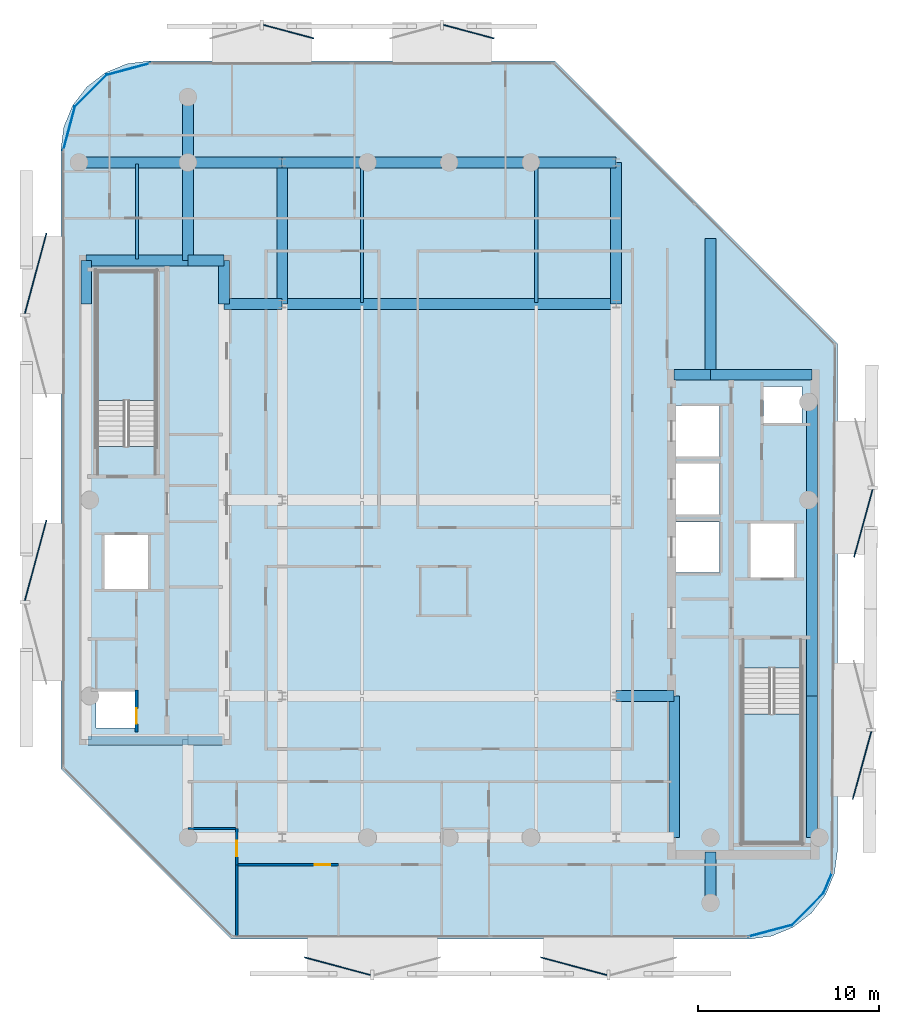
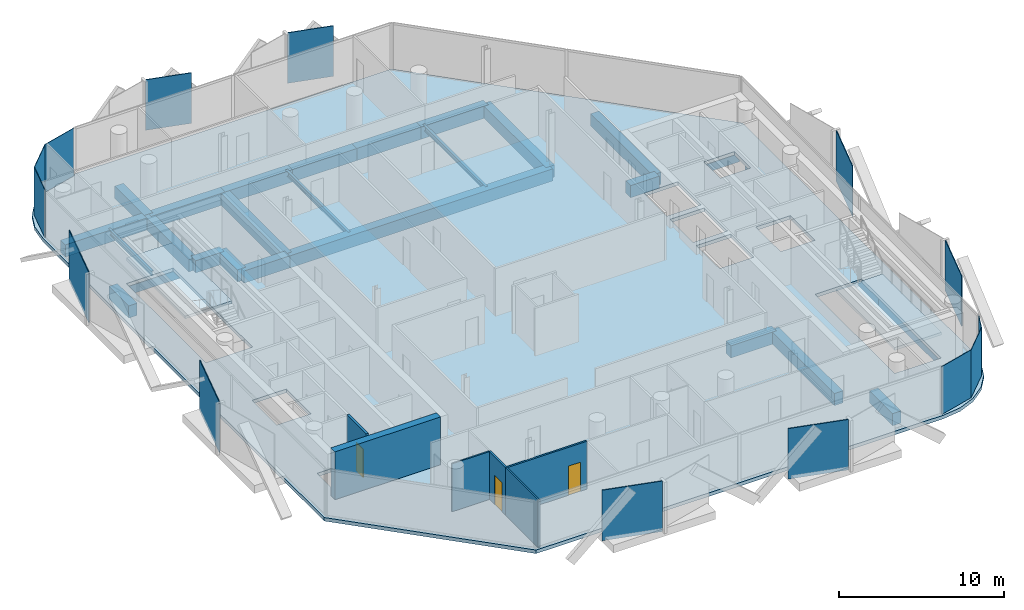
# One storey, part 3 of 16: 28 beams, 14 plates, 6 walls, 3 doors, 3 slabs, 3 openings, 2 elements without a shape of their own.
"""IFC4 building model written with IfcOpenShell, lengths in metres."""

import ifcopenshell
import ifcopenshell.guid

model = None  # the IFC model being written
_history = None  # IfcOwnerHistory: only IFC2X3 demands one
_inside = {}  # id of a spatial element -> (the spatial element, [elements in it])
_under = {}  # id of a project, library or spatial element -> (it, [spatial elements below it])
_declared = {}  # id of a project -> (the project, [libraries it declares])
_typed = {}  # id of a type object -> (the type object, [elements of that type])
_made_of = {}  # id of a material, layer set ... -> (it, [elements and type objects made of it])


def new_model(schema):
    """Start an empty IFC model of exactly this schema.

    Asked for "IFC4X3", IfcOpenShell would pick the latest addendum, in which some entities
    have other attributes; the version numbers below select the first issue.
    IFC2X3 requires an IfcOwnerHistory on every rooted entity: one is made here for all.
    """
    global model, _history
    if schema == "IFC4X3":
        model = ifcopenshell.file(schema_version=(4, 3, 0, 0))
    else:
        model = ifcopenshell.file(schema=schema)
    _inside.clear()
    _under.clear()
    _declared.clear()
    _typed.clear()
    _made_of.clear()
    _history = None
    if model.schema == "IFC2X3":
        org = make("IfcOrganization", Name="unknown")
        user = make(
            "IfcPersonAndOrganization",
            ThePerson=make("IfcPerson", FamilyName="unknown"),
            TheOrganization=org,
        )
        app = make(
            "IfcApplication",
            ApplicationDeveloper=org,
            Version="unknown",
            ApplicationFullName="unknown",
            ApplicationIdentifier="unknown",
        )
        _history = make(
            "IfcOwnerHistory",
            OwningUser=user,
            OwningApplication=app,
            ChangeAction="ADDED",
            CreationDate=0,
        )
    return model


def make(cls, **values):
    """One entity of the class cls with the attributes given. An attribute that is None is left unset."""
    return model.create_entity(
        cls, **{name: value for name, value in values.items() if value is not None}
    )


def rooted(cls, **values):
    """An entity with a GlobalId (a new one), such as an element, a storey or a relation."""
    return make(cls, GlobalId=ifcopenshell.guid.new(), OwnerHistory=_history, **values)


def si_unit(unit_type, name, prefix=None):
    """IfcSIUnit, for example si_unit("LENGTHUNIT", "METRE", prefix="MILLI")."""
    return make("IfcSIUnit", UnitType=unit_type, Prefix=prefix, Name=name)


def assignment(units):
    """IfcUnitAssignment: the units of a project."""
    return None if units is None else make("IfcUnitAssignment", Units=units)


def point(xyz):
    """IfcCartesianPoint."""
    return None if xyz is None else make("IfcCartesianPoint", Coordinates=xyz)


def direction(xyz):
    """IfcDirection."""
    return None if xyz is None else make("IfcDirection", DirectionRatios=xyz)


def frame(location, z_axis=None, x_axis=None):
    """IfcAxis2Placement3D, a coordinate frame: its origin and axes. An axis left out is left unset."""
    return make(
        "IfcAxis2Placement3D",
        Location=point(location),
        Axis=direction(z_axis),
        RefDirection=direction(x_axis),
    )


def frame_2d(location, x_axis=None):
    """IfcAxis2Placement2D, a coordinate frame in the plane: its origin and x axis."""
    return make(
        "IfcAxis2Placement2D", Location=point(location), RefDirection=direction(x_axis)
    )


def origin():
    """The frame at (0, 0, 0) with its axes left unset."""
    return frame((0.0, 0.0, 0.0))


def origin_2d():
    """The frame at (0, 0) in the plane with its x axis left unset."""
    return frame_2d((0.0, 0.0))


def place(relative_to, where):
    """IfcLocalPlacement: puts the frame where relative to a parent placement (None: the world)."""
    return make(
        "IfcLocalPlacement", PlacementRelTo=relative_to, RelativePlacement=where
    )


def context(
    kind, dimensions, precision=None, world=None, true_north=None, identifier=None
):
    """IfcGeometricRepresentationContext, for example the 3D "Model" context."""
    return make(
        "IfcGeometricRepresentationContext",
        ContextIdentifier=identifier,
        ContextType=kind,
        CoordinateSpaceDimension=dimensions,
        Precision=precision,
        WorldCoordinateSystem=world,
        TrueNorth=true_north,
    )


def subcontext(parent, identifier, kind, view, scale=None):
    """IfcGeometricRepresentationSubContext, for example "Body" below "Model"."""
    return make(
        "IfcGeometricRepresentationSubContext",
        ContextIdentifier=identifier,
        ContextType=kind,
        ParentContext=parent,
        TargetScale=scale,
        TargetView=view,
    )


def project(units=None, contexts=None):
    """IfcProject with its units and contexts."""
    return rooted(
        "IfcProject",
        Name="project",
        RepresentationContexts=contexts,
        UnitsInContext=assignment(units),
    )


def spatial(cls, under=None, at=None, **own):
    """A site, building, storey or space (cls), placed at a placement, below another one or the project."""
    s = rooted(cls, ObjectPlacement=at, **own)
    if under is not None:
        _under.setdefault(under.id(), (under, []))[1].append(s)
    return s


def polyline(points):
    """IfcPolyline through the points."""
    return make("IfcPolyline", Points=[point(p) for p in points])


def profile(cls, at=None, kind="AREA", **sizes):
    """A parametric profile (cls). Its sizes go by their IFC names, for example OverallWidth=200.0."""
    return make(cls, ProfileType=kind, Position=at, **sizes)


def rectangle(**sizes):
    """IfcRectangleProfileDef."""
    return profile("IfcRectangleProfileDef", **sizes)


def i_section(**sizes):
    """IfcIShapeProfileDef."""
    return profile("IfcIShapeProfileDef", **sizes)


def outline(outer, holes=None, kind="AREA"):
    """IfcArbitraryClosedProfileDef: a profile drawn as a closed curve; with holes, ...WithVoids."""
    if holes is None:
        return make("IfcArbitraryClosedProfileDef", ProfileType=kind, OuterCurve=outer)
    return make(
        "IfcArbitraryProfileDefWithVoids",
        ProfileType=kind,
        OuterCurve=outer,
        InnerCurves=holes,
    )


def extrude(swept, where, along, depth):
    """IfcExtrudedAreaSolid: the profile swept, set in the frame where, extruded along a direction by depth."""
    return make(
        "IfcExtrudedAreaSolid",
        SweptArea=swept,
        Position=where,
        ExtrudedDirection=direction(along),
        Depth=depth,
    )


def shape(context_of_items, identifier, shape_type, items):
    """IfcShapeRepresentation: the items that make up one representation, for example the "Body"."""
    return make(
        "IfcShapeRepresentation",
        ContextOfItems=context_of_items,
        RepresentationIdentifier=identifier,
        RepresentationType=shape_type,
        Items=items,
    )


def material(Name=None, Category=None):
    """IfcMaterial."""
    return make("IfcMaterial", Name=Name, Category=Category)


def layer(
    of_material, thickness, ventilated=None, Name=None, Category=None, Priority=None
):
    """IfcMaterialLayer: one layer of a wall or slab, of a material (None: an air gap)."""
    return make(
        "IfcMaterialLayer",
        Material=of_material,
        LayerThickness=thickness,
        IsVentilated=ventilated,
        Name=Name,
        Category=Category,
        Priority=Priority,
    )


def layer_set(layers, Name=None):
    """IfcMaterialLayerSet."""
    return make("IfcMaterialLayerSet", MaterialLayers=layers, LayerSetName=Name)


def material_profile(
    of_material, cross_section, Name=None, Category=None, Priority=None
):
    """IfcMaterialProfile: a cross section and its material."""
    return make(
        "IfcMaterialProfile",
        Name=Name,
        Material=of_material,
        Profile=cross_section,
        Priority=Priority,
        Category=Category,
    )


def profile_set(profiles, Name=None, composite=None):
    """IfcMaterialProfileSet."""
    return make(
        "IfcMaterialProfileSet",
        Name=Name,
        MaterialProfiles=profiles,
        CompositeProfile=composite,
    )


def made_of(thing, what):
    """Note that an element or type object is made of a material, layer set ...; save() writes the relation."""
    if what is not None:
        _made_of.setdefault(what.id(), (what, []))[1].append(thing)
    return thing


def type_object(cls, material=None, **own):
    """A type object (cls), such as IfcWallType, which elements share."""
    return made_of(rooted(cls, **own), material)


def element(
    cls,
    number,
    at=None,
    inside=None,
    cuts=None,
    type_object=None,
    material=None,
    context=None,
    identifier="Body",
    shape_type=None,
    held_by="IfcProductDefinitionShape",
    body=None,
    shapes=None,
    **own,
):
    """One element of the class cls, such as IfcWall. Its Tag is "e" and its number.

    at: its placement. inside: the storey or other place that contains it. cuts: it is an
    opening in that element (IfcRelVoidsElement). A single representation is given by context,
    identifier, shape_type and body (its items); several are given by shapes. held_by: the class
    of the entity that holds the representations. save() writes the other relations.
    """
    e = rooted(cls, Tag="e%d" % number, ObjectPlacement=at, **own)
    if body is not None:
        shapes = [shape(context, identifier, shape_type, body)]
    if shapes is not None:
        e.Representation = make(held_by, Representations=shapes)
    if inside is not None:
        _inside.setdefault(inside.id(), (inside, []))[1].append(e)
    if cuts is not None:
        rooted(
            "IfcRelVoidsElement", RelatingBuildingElement=cuts, RelatedOpeningElement=e
        )
    if type_object is not None:
        _typed.setdefault(type_object.id(), (type_object, []))[1].append(e)
    return made_of(e, material)


def fill(opening, filler):
    """IfcRelFillsElement: the door or window that sits in an opening."""
    return rooted(
        "IfcRelFillsElement",
        RelatingOpeningElement=opening,
        RelatedBuildingElement=filler,
    )


def aggregate(whole, parts):
    """IfcRelAggregates: a whole, such as a stair, and the parts it consists of."""
    return rooted("IfcRelAggregates", RelatingObject=whole, RelatedObjects=parts)


def save(model, path):
    """Write the relations noted so far, then the file.

    IfcRelAggregates (storeys below a building ...), IfcRelContainedInSpatialStructure (elements
    in a storey), IfcRelDefinesByType, IfcRelAssociatesMaterial and IfcRelDeclares: one each for
    every whole, place, type object, material and project.
    """
    for whole, parts in _under.values():
        aggregate(whole, parts)
    for where, things in _inside.values():
        rooted(
            "IfcRelContainedInSpatialStructure",
            RelatedElements=things,
            RelatingStructure=where,
        )
    for kind, things in _typed.values():
        rooted("IfcRelDefinesByType", RelatedObjects=things, RelatingType=kind)
    for what, things in _made_of.values():
        rooted("IfcRelAssociatesMaterial", RelatedObjects=things, RelatingMaterial=what)
    for by, libraries in _declared.values():
        rooted("IfcRelDeclares", RelatingContext=by, RelatedDefinitions=libraries)
    model.write(path)


model = new_model("IFC4")

# Units and contexts
model_context = context("Model", 3, precision=1e-05, world=origin(), true_north=direction((0.0, 1.0)))
body_context = subcontext(model_context, "Body", "Model", "MODEL_VIEW")
ifc_project = project(units=[si_unit("LENGTHUNIT", "METRE"), si_unit("AREAUNIT", "SQUARE_METRE"), si_unit("VOLUMEUNIT", "CUBIC_METRE"), si_unit("PLANEANGLEUNIT", "RADIAN"), si_unit("MASSUNIT", "GRAM", prefix="KILO")], contexts=[model_context])

# Site, building, storey
site_placement = place(None, origin())
site = spatial("IfcSite", under=ifc_project, at=site_placement, CompositionType="ELEMENT")
building_placement = place(site_placement, origin())
building = spatial("IfcBuilding", under=site, at=building_placement, Name="Khairoan Windgate Tower", CompositionType="ELEMENT")
storey_placement = place(building_placement, frame((0.0, 0.0, 311.800048828125)))
storey = spatial("IfcBuildingStorey", under=building, at=storey_placement, Name="L75", CompositionType="ELEMENT", Elevation=311.800048828125)

# Beams
ifc_material_1 = material(Name="Concrete C50/60", Category="concrete")
ifc_material_profile_1 = material_profile(ifc_material_1, rectangle(XDim=0.60009765625, YDim=0.89990234375, at=origin_2d()))
ifc_profile_set_1 = profile_set([ifc_material_profile_1], Name="Concrete C50/60")
beam_type_1 = type_object("IfcBeamType", Name="Beam B-RC1 RC600x900", PredefinedType="BEAM", material=ifc_profile_set_1)
beam_1_placement = place(storey_placement, frame((9.199951171875, -10.800048828125, -0.7099609375), z_axis=(1.0, 0.0, 0.0), x_axis=(0.0, 1.0, 0.0)))
element("IfcBeam", 1, at=beam_1_placement, inside=storey, type_object=beam_type_1, Name="L75 E-W Primary Girder 11", PredefinedType="BEAM", context=body_context, shape_type="SweptSolid", body=[
    extrude(rectangle(XDim=0.60009765625, YDim=0.89990234375, at=origin_2d()), origin(), (0.0, 0.0, 1.0), 3.199951171875),
])
beam_2_placement = place(storey_placement, frame((12.39990234375, 6.89990234375, -0.7099609375), z_axis=(1.0, 0.0, 0.0), x_axis=(0.0, 1.0, 0.0)))
element("IfcBeam", 2, at=beam_2_placement, inside=storey, type_object=beam_type_1, Name="L75 E-W Primary Girder 14", PredefinedType="BEAM", context=body_context, shape_type="SweptSolid", body=[
    extrude(rectangle(XDim=0.60009765625, YDim=0.89990234375, at=origin_2d()), origin(), (0.0, 0.0, 1.0), 2.0),
])
beam_3_placement = place(storey_placement, frame((14.39990234375, 6.89990234375, -0.7099609375), z_axis=(1.0, 0.0, 0.0), x_axis=(0.0, 1.0, 0.0)))
element("IfcBeam", 3, at=beam_3_placement, inside=storey, type_object=beam_type_1, Name="L75 E-W Primary Girder 15", PredefinedType="BEAM", context=body_context, shape_type="SweptSolid", body=[
    extrude(rectangle(XDim=0.60009765625, YDim=0.89990234375, at=origin_2d()), origin(), (0.0, 0.0, 1.0), 5.60009765625),
])
beam_4_placement = place(storey_placement, frame((-12.39990234375, 10.800048828125, -0.7099609375), z_axis=(1.0, 0.0, 0.0), x_axis=(0.0, 1.0, 0.0)))
element("IfcBeam", 4, at=beam_4_placement, inside=storey, type_object=beam_type_1, Name="L75 E-W Primary Girder 16", PredefinedType="BEAM", context=body_context, shape_type="SweptSolid", body=[
    extrude(rectangle(XDim=0.60009765625, YDim=0.89990234375, at=origin_2d()), origin(), (0.0, 0.0, 1.0), 3.199951171875),
])
beam_5_placement = place(storey_placement, frame((-9.199951171875, 10.800048828125, -0.7099609375), z_axis=(1.0, 0.0, 0.0), x_axis=(0.0, 1.0, 0.0)))
element("IfcBeam", 5, at=beam_5_placement, inside=storey, type_object=beam_type_1, Name="L75 E-W Primary Girder 17", PredefinedType="BEAM", context=body_context, shape_type="SweptSolid", body=[
    extrude(rectangle(XDim=0.60009765625, YDim=0.89990234375, at=origin_2d()), origin(), (0.0, 0.0, 1.0), 18.39990234375),
])
beam_6_placement = place(storey_placement, frame((-20.0, 13.199951171875, -0.7099609375), z_axis=(1.0, 0.0, 0.0), x_axis=(0.0, 1.0, 0.0)))
element("IfcBeam", 6, at=beam_6_placement, inside=storey, type_object=beam_type_1, Name="L75 E-W Primary Girder 18", PredefinedType="BEAM", context=body_context, shape_type="SweptSolid", body=[
    extrude(rectangle(XDim=0.60009765625, YDim=0.89990234375, at=origin_2d()), origin(), (0.0, 0.0, 1.0), 5.60009765625),
])
beam_7_placement = place(storey_placement, frame((-14.39990234375, 13.199951171875, -0.7099609375), z_axis=(1.0, 0.0, 0.0), x_axis=(0.0, 1.0, 0.0)))
element("IfcBeam", 7, at=beam_7_placement, inside=storey, type_object=beam_type_1, Name="L75 E-W Primary Girder 19", PredefinedType="BEAM", context=body_context, shape_type="SweptSolid", body=[
    extrude(rectangle(XDim=0.60009765625, YDim=0.89990234375, at=origin_2d()), origin(), (0.0, 0.0, 1.0), 2.0),
])
beam_8_placement = place(storey_placement, frame((-20.39990234375, 18.60009765625, -0.7099609375), z_axis=(1.0, 0.0, 0.0), x_axis=(0.0, 1.0, 0.0)))
element("IfcBeam", 8, at=beam_8_placement, inside=storey, type_object=beam_type_1, Name="L75 E-W Primary Girder 20", PredefinedType="BEAM", context=body_context, shape_type="SweptSolid", body=[
    extrude(rectangle(XDim=0.60009765625, YDim=0.89990234375, at=origin_2d()), origin(), (0.0, 0.0, 1.0), 6.0),
])
beam_9_placement = place(storey_placement, frame((-14.39990234375, 18.60009765625, -0.7099609375), z_axis=(1.0, 0.0, 0.0), x_axis=(0.0, 1.0, 0.0)))
element("IfcBeam", 9, at=beam_9_placement, inside=storey, type_object=beam_type_1, Name="L75 E-W Primary Girder 21", PredefinedType="BEAM", context=body_context, shape_type="SweptSolid", body=[
    extrude(rectangle(XDim=0.60009765625, YDim=0.89990234375, at=origin_2d()), origin(), (0.0, 0.0, 1.0), 5.199951171875),
])
beam_10_placement = place(storey_placement, frame((-9.199951171875, 18.60009765625, -0.7099609375), z_axis=(1.0, 0.0, 0.0), x_axis=(0.0, 1.0, 0.0)))
element("IfcBeam", 10, at=beam_10_placement, inside=storey, type_object=beam_type_1, Name="L75 E-W Primary Girder 22", PredefinedType="BEAM", context=body_context, shape_type="SweptSolid", body=[
    extrude(rectangle(XDim=0.60009765625, YDim=0.89990234375, at=origin_2d()), origin(), (0.0, 0.0, 1.0), 4.699951171875),
])
for number, where, z_axis, x_axis, name in (
    (11, (-4.5, 18.60009765625, -0.7099609375), (1.0, 0.0, 0.0), (0.0, 1.0, 0.0), "L75 E-W Primary Girder 23"),
    (12, (0.0, 18.60009765625, -0.7099609375), (1.0, 0.0, 0.0), (0.0, 1.0, 0.0), "L75 E-W Primary Girder 24"),
):
    element("IfcBeam", number, at=place(storey_placement, frame(where, z_axis=z_axis, x_axis=x_axis)), inside=storey, type_object=beam_type_1, Name=name, PredefinedType="BEAM", context=body_context, shape_type="SweptSolid", body=[
        extrude(rectangle(XDim=0.60009765625, YDim=0.89990234375, at=origin_2d()), origin(), (0.0, 0.0, 1.0), 4.5),
    ])
beam_11_placement = place(storey_placement, frame((4.5, 18.60009765625, -0.7099609375), z_axis=(1.0, 0.0, 0.0), x_axis=(0.0, 1.0, 0.0)))
element("IfcBeam", 13, at=beam_11_placement, inside=storey, type_object=beam_type_1, Name="L75 E-W Primary Girder 25", PredefinedType="BEAM", context=body_context, shape_type="SweptSolid", body=[
    extrude(rectangle(XDim=0.60009765625, YDim=0.89990234375, at=origin_2d()), origin(), (0.0, 0.0, 1.0), 4.699951171875),
])
beam_12_placement = place(storey_placement, frame((-20.0, 10.800048828125, -0.7099609375), z_axis=(0.0, 1.0, 0.0), x_axis=(-1.0, 0.0, 0.0)))
element("IfcBeam", 14, at=beam_12_placement, inside=storey, type_object=beam_type_1, Name="L75 N-S Primary Beam 29", PredefinedType="BEAM", context=body_context, shape_type="SweptSolid", body=[
    extrude(rectangle(XDim=0.60009765625, YDim=0.89990234375, at=origin_2d()), origin(), (0.0, 0.0, 1.0), 2.39990234375),
])
beam_13_placement = place(storey_placement, frame((-14.39990234375, 13.199951171875, -0.7099609375), z_axis=(0.0, 1.0, 0.0), x_axis=(-1.0, 0.0, 0.0)))
element("IfcBeam", 15, at=beam_13_placement, inside=storey, type_object=beam_type_1, Name="L75 N-S Primary Beam 31", PredefinedType="BEAM", context=body_context, shape_type="SweptSolid", body=[
    extrude(rectangle(XDim=0.60009765625, YDim=0.89990234375, at=origin_2d()), origin(), (0.0, 0.0, 1.0), 5.400146484375),
])
beam_14_placement = place(storey_placement, frame((-14.39990234375, 18.60009765625, -0.7099609375), z_axis=(0.0, 1.0, 0.0), x_axis=(-1.0, 0.0, 0.0)))
element("IfcBeam", 16, at=beam_14_placement, inside=storey, type_object=beam_type_1, Name="L75 N-S Primary Beam 32", PredefinedType="BEAM", context=body_context, shape_type="SweptSolid", body=[
    extrude(rectangle(XDim=0.60009765625, YDim=0.89990234375, at=origin_2d()), origin(), (0.0, 0.0, 1.0), 3.599853515625),
])
beam_15_placement = place(storey_placement, frame((-12.39990234375, 10.800048828125, -0.7099609375), z_axis=(0.0, 1.0, 0.0), x_axis=(-1.0, 0.0, 0.0)))
element("IfcBeam", 17, at=beam_15_placement, inside=storey, type_object=beam_type_1, Name="L75 N-S Primary Beam 36", PredefinedType="BEAM", context=body_context, shape_type="SweptSolid", body=[
    extrude(rectangle(XDim=0.60009765625, YDim=0.89990234375, at=origin_2d()), origin(), (0.0, 0.0, 1.0), 2.39990234375),
])
for number, where, z_axis, x_axis, name in (
    (18, (-9.199951171875, 10.800048828125, -0.7099609375), (0.0, 1.0, 0.0), (-1.0, 0.0, 0.0), "L75 N-S Primary Beam 40"),
    (19, (9.199951171875, 10.800048828125, -0.7099609375), (0.0, 1.0, 0.0), (-1.0, 0.0, 0.0), "L75 N-S Primary Beam 44"),
    (20, (12.39990234375, -18.60009765625, -0.7099609375), (0.0, 1.0, 0.0), (-1.0, 0.0, 0.0), "L75 N-S Primary Beam 45"),
):
    element("IfcBeam", number, at=place(storey_placement, frame(where, z_axis=z_axis, x_axis=x_axis)), inside=storey, type_object=beam_type_1, Name=name, PredefinedType="BEAM", context=body_context, shape_type="SweptSolid", body=[
        extrude(rectangle(XDim=0.60009765625, YDim=0.89990234375, at=origin_2d()), origin(), (0.0, 0.0, 1.0), 7.800048828125),
    ])
beam_16_placement = place(storey_placement, frame((14.39990234375, -22.199951171875, -0.7099609375), z_axis=(0.0, 1.0, 0.0), x_axis=(-1.0, 0.0, 0.0)))
element("IfcBeam", 21, at=beam_16_placement, inside=storey, type_object=beam_type_1, Name="L75 N-S Primary Beam 46", PredefinedType="BEAM", context=body_context, shape_type="SweptSolid", body=[
    extrude(rectangle(XDim=0.60009765625, YDim=0.89990234375, at=origin_2d()), origin(), (0.0, 0.0, 1.0), 2.800048828125),
])
beam_17_placement = place(storey_placement, frame((14.39990234375, 6.89990234375, -0.7099609375), z_axis=(0.0, 1.0, 0.0), x_axis=(-1.0, 0.0, 0.0)))
element("IfcBeam", 22, at=beam_17_placement, inside=storey, type_object=beam_type_1, Name="L75 N-S Primary Beam 47", PredefinedType="BEAM", context=body_context, shape_type="SweptSolid", body=[
    extrude(rectangle(XDim=0.60009765625, YDim=0.89990234375, at=origin_2d()), origin(), (0.0, 0.0, 1.0), 7.5),
])
beam_18_placement = place(storey_placement, frame((20.0, -18.60009765625, -0.7099609375), z_axis=(0.0, 1.0, 0.0), x_axis=(-1.0, 0.0, 0.0)))
element("IfcBeam", 23, at=beam_18_placement, inside=storey, type_object=beam_type_1, Name="L75 N-S Primary Beam 48", PredefinedType="BEAM", context=body_context, shape_type="SweptSolid", body=[
    extrude(rectangle(XDim=0.60009765625, YDim=0.89990234375, at=origin_2d()), origin(), (0.0, 0.0, 1.0), 7.800048828125),
])
beam_19_placement = place(storey_placement, frame((20.0, -10.800048828125, -0.7099609375), z_axis=(0.0, 1.0, 0.0), x_axis=(-1.0, 0.0, 0.0)))
element("IfcBeam", 24, at=beam_19_placement, inside=storey, type_object=beam_type_1, Name="L75 N-S Primary Beam 49", PredefinedType="BEAM", context=body_context, shape_type="SweptSolid", body=[
    extrude(rectangle(XDim=0.60009765625, YDim=0.89990234375, at=origin_2d()), origin(), (0.0, 0.0, 1.0), 10.800048828125),
])
beam_20_placement = place(storey_placement, frame((20.0, 0.0, -0.7099609375), z_axis=(0.0, 1.0, 0.0), x_axis=(-1.0, 0.0, 0.0)))
element("IfcBeam", 25, at=beam_20_placement, inside=storey, type_object=beam_type_1, Name="L75 N-S Primary Beam 50", PredefinedType="BEAM", context=body_context, shape_type="SweptSolid", body=[
    extrude(rectangle(XDim=0.60009765625, YDim=0.89990234375, at=origin_2d()), origin(), (0.0, 0.0, 1.0), 5.39990234375),
])
ifc_material_2 = material(Name="Steel S355", Category="steel")
ifc_material_profile_2 = material_profile(ifc_material_2, i_section(OverallWidth=0.175048828125, OverallDepth=0.35009765625, WebThickness=0.007080078125, FlangeThickness=0.010986328125, FilletRadius=0.013916015625, at=origin_2d()))
ifc_profile_set_2 = profile_set([ifc_material_profile_2], Name="Steel S355")
beam_type_2 = type_object("IfcBeamType", Name="Beam J-S5 H350x175x7x11", PredefinedType="JOIST", material=ifc_profile_set_2)
beam_21_placement = place(storey_placement, frame((-17.199951171875, 13.2900390625, -0.43505859375), z_axis=(0.0, 1.0, 0.0), x_axis=(-1.0, 0.0, 0.0)))
element("IfcBeam", 26, at=beam_21_placement, inside=storey, type_object=beam_type_2, Name="L75 Secondary Floor Joist 01", PredefinedType="JOIST", context=body_context, shape_type="SweptSolid", body=[
    extrude(i_section(OverallWidth=0.175048828125, OverallDepth=0.35009765625, WebThickness=0.007080078125, FlangeThickness=0.010986328125, FilletRadius=0.013916015625, at=origin_2d()), origin(), (0.0, 0.0, 1.0), 5.219970703125),
])
for number, where, z_axis, x_axis, name in (
    (27, (-4.800048828125, 10.889892578125, -0.43505859375), (0.0, 1.0, 0.0), (-1.0, 0.0, 0.0), "L75 Secondary Floor Joist 05"),
    (28, (4.800048828125, 10.889892578125, -0.43505859375), (0.0, 1.0, 0.0), (-1.0, 0.0, 0.0), "L75 Secondary Floor Joist 09"),
):
    element("IfcBeam", number, at=place(storey_placement, frame(where, z_axis=z_axis, x_axis=x_axis)), inside=storey, type_object=beam_type_2, Name=name, PredefinedType="JOIST", context=body_context, shape_type="SweptSolid", body=[
        extrude(i_section(OverallWidth=0.175048828125, OverallDepth=0.35009765625, WebThickness=0.007080078125, FlangeThickness=0.010986328125, FilletRadius=0.013916015625, at=origin_2d()), origin(), (0.0, 0.0, 1.0), 7.6201171875),
    ])

# Plates
ifc_material_3 = material(Name="Low-E Solar Control Laminated Glass", Category="glass")
ifc_layer_1 = layer(ifc_material_3, 0.030029296875, Name="Low-E Solar Control Laminated Glass")
ifc_layer_set_1 = layer_set([ifc_layer_1], Name="Low-E Solar Control Laminated Glass")
plate_type_1 = type_object("IfcPlateType", Name="Aerodynamic Wind-Corner Curved Glazing Plate", PredefinedType="USERDEFINED", material=ifc_layer_set_1)
plate_1_placement = place(storey_placement, frame((-20.940673828125, 20.485107421875, 0.0), z_axis=(0.0, 0.0, 1.0), x_axis=(0.258313252067, 0.966061211211, 0.0)))
element("IfcPlate", 29, at=plate_1_placement, inside=storey, type_object=plate_type_1, Name="L75 Aerodynamic Wind-Corner Curved Glazing Panel 4", ObjectType="GLAZING PANEL", PredefinedType="USERDEFINED", context=body_context, shape_type="SweptSolid", body=[
    extrude(rectangle(XDim=2.512451171875, YDim=0.035888671875, at=origin_2d()), origin(), (0.0, 0.0, 1.0), 3.5400390625),
])
plate_2_placement = place(storey_placement, frame((-19.750244140625, 22.55029296875, 0.0), z_axis=(0.0, 0.0, 1.0), x_axis=(0.707106781187, 0.707106781187, 0.0)))
element("IfcPlate", 30, at=plate_2_placement, inside=storey, type_object=plate_type_1, Name="L75 Aerodynamic Wind-Corner Curved Glazing Panel 5", ObjectType="GLAZING PANEL", PredefinedType="USERDEFINED", context=body_context, shape_type="SweptSolid", body=[
    extrude(rectangle(XDim=2.50341796875, YDim=0.035888671875, at=origin_2d()), origin(), (0.0, 0.0, 1.0), 3.5400390625),
])
plate_3_placement = place(storey_placement, frame((-17.68505859375, 23.740478515625, 0.0), z_axis=(0.0, 0.0, 1.0), x_axis=(0.966061211211, 0.258313252067, 0.0)))
element("IfcPlate", 31, at=plate_3_placement, inside=storey, type_object=plate_type_1, Name="L75 Aerodynamic Wind-Corner Curved Glazing Panel 6", ObjectType="GLAZING PANEL", PredefinedType="USERDEFINED", context=body_context, shape_type="SweptSolid", body=[
    extrude(rectangle(XDim=2.512451171875, YDim=0.035888671875, at=origin_2d()), origin(), (0.0, 0.0, 1.0), 3.5400390625),
])
plate_4_placement = place(storey_placement, frame((20.85888671875, -21.105712890625, 0.0), z_axis=(0.0, 0.0, 1.0), x_axis=(-0.382683432365, -0.923879532511, 0.0)))
element("IfcPlate", 32, at=plate_4_placement, inside=storey, type_object=plate_type_1, Name="L75 Aerodynamic Wind-Corner Curved Glazing Panel 10", ObjectType="GLAZING PANEL", PredefinedType="USERDEFINED", context=body_context, shape_type="SweptSolid", body=[
    extrude(rectangle(XDim=1.2822265625, YDim=0.035888671875, at=origin_2d()), origin(), (0.0, 0.0, 1.0), 3.5400390625),
])
plate_5_placement = place(storey_placement, frame((19.750244140625, -22.55029296875, 0.0), z_axis=(0.0, 0.0, 1.0), x_axis=(-0.707106781187, -0.707106781187, 0.0)))
element("IfcPlate", 33, at=plate_5_placement, inside=storey, type_object=plate_type_1, Name="L75 Aerodynamic Wind-Corner Curved Glazing Panel 11", ObjectType="GLAZING PANEL", PredefinedType="USERDEFINED", context=body_context, shape_type="SweptSolid", body=[
    extrude(rectangle(XDim=2.50341796875, YDim=0.035888671875, at=origin_2d()), origin(), (0.0, 0.0, 1.0), 3.5400390625),
])
plate_6_placement = place(storey_placement, frame((17.68505859375, -23.740478515625, 0.0), z_axis=(0.0, 0.0, 1.0), x_axis=(-0.966061211211, -0.258313252067, 0.0)))
element("IfcPlate", 34, at=plate_6_placement, inside=storey, type_object=plate_type_1, Name="L75 Aerodynamic Wind-Corner Curved Glazing Panel 12", ObjectType="GLAZING PANEL", PredefinedType="USERDEFINED", context=body_context, shape_type="SweptSolid", body=[
    extrude(rectangle(XDim=2.512451171875, YDim=0.035888671875, at=origin_2d()), origin(), (0.0, 0.0, 1.0), 3.5400390625),
])
ifc_material_4 = material(Name="Anodised Bronze Aluminium 6063-T6", Category="aluminium")
ifc_layer_2 = layer(ifc_material_4, 0.054931640625, Name="Anodised Bronze Aluminium 6063-T6")
ifc_layer_set_2 = layer_set([ifc_layer_2], Name="Anodised Bronze Aluminium 6063-T6")
plate_type_2 = type_object("IfcPlateType", Name="Perforated Bronze Solar Screen Upper Panel BSP-2", PredefinedType="USERDEFINED", material=ifc_layer_set_2)
for number, where, z_axis, x_axis, name in (
    (35, (6.869384765625, -25.69140625, -0.10009765625), (0.0, 0.0, 1.0), (-0.965925826289, 0.258819045103, 0.0), "L75 Perforated Bronze Solar Screen Panel 526R"),
    (36, (-6.14697265625, -25.69140625, -0.10009765625), (0.0, 0.0, 1.0), (-0.965925826289, 0.258819045103, 0.0), "L75 Perforated Bronze Solar Screen Panel 527R"),
):
    element("IfcPlate", number, at=place(storey_placement, frame(where, z_axis=z_axis, x_axis=x_axis)), inside=storey, type_object=plate_type_2, Name=name, ObjectType="SCREEN", PredefinedType="USERDEFINED", context=body_context, shape_type="SweptSolid", body=[
        extrude(rectangle(XDim=3.77490234375, YDim=0.054931640625, at=origin_2d()), origin(), (0.0, 0.0, 1.0), 3.739990234375),
    ])
for number, where, z_axis, x_axis, name in (
    (37, (-22.786376953125, -3.328369140625, -0.10009765625), (0.0, 0.0, 1.0), (0.258819045103, 0.965925826289, 0.0), "L75 Perforated Bronze Solar Screen Panel 528R"),
    (38, (-22.786376953125, 12.488037109375, -0.10009765625), (0.0, 0.0, 1.0), (0.258819045103, 0.965925826289, 0.0), "L75 Perforated Bronze Solar Screen Panel 529R"),
):
    element("IfcPlate", number, at=place(storey_placement, frame(where, z_axis=z_axis, x_axis=x_axis)), inside=storey, type_object=plate_type_2, Name=name, ObjectType="SCREEN", PredefinedType="USERDEFINED", context=body_context, shape_type="SweptSolid", body=[
        extrude(rectangle(XDim=4.5869140625, YDim=0.054931640625, at=origin_2d()), origin(), (0.0, 0.0, 1.0), 3.739990234375),
    ])
for number, where, z_axis, x_axis, name in (
    (39, (-8.84716796875, 25.807373046875, -0.10009765625), (0.0, 0.0, 1.0), (0.965925826289, -0.258819045103, 0.0), "L75 Perforated Bronze Solar Screen Panel 530R"),
    (40, (1.079345703125, 25.807373046875, -0.10009765625), (0.0, 0.0, 1.0), (0.965925826289, -0.258819045103, 0.0), "L75 Perforated Bronze Solar Screen Panel 531R"),
):
    element("IfcPlate", number, at=place(storey_placement, frame(where, z_axis=z_axis, x_axis=x_axis)), inside=storey, type_object=plate_type_2, Name=name, ObjectType="SCREEN", PredefinedType="USERDEFINED", context=body_context, shape_type="SweptSolid", body=[
        extrude(rectangle(XDim=2.87890625, YDim=0.054931640625, at=origin_2d()), origin(), (0.0, 0.0, 1.0), 3.739990234375),
    ])
for number, where, z_axis, x_axis, name in (
    (41, (22.82373046875, -1.280029296875, -0.10009765625), (0.0, 0.0, 1.0), (-0.264209727938, -0.964465250625, 0.0), "L75 Perforated Bronze Solar Screen Panel 532R"),
    (42, (22.748779296875, -14.626953125, -0.10009765625), (0.0, 0.0, 1.0), (-0.264209727938, -0.964465250625, 0.0), "L75 Perforated Bronze Solar Screen Panel 533R"),
):
    element("IfcPlate", number, at=place(storey_placement, frame(where, z_axis=z_axis, x_axis=x_axis)), inside=storey, type_object=plate_type_2, Name=name, ObjectType="SCREEN", PredefinedType="USERDEFINED", context=body_context, shape_type="SweptSolid", body=[
        extrude(rectangle(XDim=3.87109375, YDim=0.054931640625, at=origin_2d()), origin(), (0.0, 0.0, 1.0), 3.739990234375),
    ])

# Stair, slab
ifc_material_5 = material(Name="Concrete C40/50", Category="concrete")
stair_type = type_object("IfcStairType", Name="Tower Core Dog-Leg Stair ST-T1 1560mm", PredefinedType="HALF_TURN_STAIR", material=ifc_material_5)
stair_1_placement = place(storey_placement, origin())
stair_1 = element("IfcStair", 43, at=stair_1_placement, inside=storey, type_object=stair_type, Name="L75 Stair ST1", PredefinedType="HALF_TURN_STAIR")
ifc_material_6 = material(Name="Concrete C40/50", Category="concrete")
ifc_layer_3 = layer(ifc_material_6, 0.199951171875, Name="Concrete C40/50")
ifc_layer_set_3 = layer_set([ifc_layer_3], Name="Concrete C40/50")
slab_type_1 = type_object("IfcSlabType", Name="Reinforced Concrete Stair Landing Slab STL-200", PredefinedType="LANDING", material=ifc_layer_set_3)
slab_1_placement = place(storey_placement, frame((0.0, 0.0, 1.699951171875)))
slab_1 = element("IfcSlab", 44, at=slab_1_placement, type_object=slab_type_1, Name="ST1 landing 1", PredefinedType="LANDING", context=body_context, shape_type="SweptSolid", body=[
    extrude(outline(polyline([(16.14990234375, -11.780029296875), (16.14990234375, -18.89990234375), (19.419921875, -18.89990234375), (19.419921875, -11.780029296875), (16.14990234375, -11.780029296875)])), origin(), (0.0, 0.0, 1.0), 0.199951171875),
])
aggregate(stair_1, [slab_1])

stair_2_placement = place(storey_placement, origin())
stair_2 = element("IfcStair", 45, at=stair_2_placement, inside=storey, type_object=stair_type, Name="L75 Stair ST2", PredefinedType="HALF_TURN_STAIR")
slab_2_placement = place(storey_placement, frame((0.0, 0.0, 1.699951171875)))
slab_2 = element("IfcSlab", 46, at=slab_2_placement, type_object=slab_type_1, Name="ST2 landing 1", PredefinedType="LANDING", context=body_context, shape_type="SweptSolid", body=[
    extrude(outline(polyline([(-16.14990234375, 5.47998046875), (-16.14990234375, 12.60009765625), (-19.419921875, 12.60009765625), (-19.419921875, 5.47998046875), (-16.14990234375, 5.47998046875)])), origin(), (0.0, 0.0, 1.0), 0.199951171875),
])
aggregate(stair_2, [slab_2])

# Slab
ifc_material_7 = material(Name="Concrete C40/50", Category="concrete")
ifc_layer_4 = layer(ifc_material_7, 0.260009765625, Name="Concrete C40/50")
ifc_layer_set_4 = layer_set([ifc_layer_4], Name="Concrete C40/50")
slab_type_2 = type_object("IfcSlabType", Name="Tower Composite Floor Slab FS2 260mm", PredefinedType="FLOOR", material=ifc_layer_set_4)
slab_3_placement = place(storey_placement, frame((0.0, 0.0, -0.260009765625)))
element("IfcSlab", 47, at=slab_3_placement, inside=storey, type_object=slab_type_2, Name="L75 Structural Floor Slab", PredefinedType="FLOOR", context=body_context, shape_type="SweptSolid", body=[
    extrude(outline(polyline([(16.5, -24.199951171875), (17.768310546875, -24.032958984375), (18.949951171875, -23.54345703125), (19.96484375, -22.764892578125), (20.743408203125, -21.75), (21.23291015625, -20.568115234375), (21.39990234375, -19.300048828125), (21.39990234375, 8.6201171875), (5.820068359375, 24.199951171875), (-16.5, 24.199951171875), (-17.768310546875, 24.032958984375), (-18.949951171875, 23.54345703125), (-19.96484375, 22.764892578125), (-20.743408203125, 21.75), (-21.23291015625, 20.568115234375), (-21.39990234375, 19.300048828125), (-21.39990234375, -14.800048828125), (-12.0, -24.199951171875), (16.5, -24.199951171875)]), holes=[polyline([(16.14990234375, -9.260009765625), (16.14990234375, -18.89990234375), (19.419921875, -18.89990234375), (19.419921875, -9.260009765625), (16.14990234375, -9.260009765625)]), polyline([(-16.14990234375, 2.9599609375), (-16.14990234375, 12.60009765625), (-19.419921875, 12.60009765625), (-19.419921875, 2.9599609375), (-16.14990234375, 2.9599609375)]), polyline([(12.5, 2.39990234375), (14.89990234375, 2.39990234375), (14.89990234375, 5.199951171875), (12.5, 5.199951171875), (12.5, 2.39990234375)]), polyline([(12.5, -0.800048828125), (14.89990234375, -0.800048828125), (14.89990234375, 2.0), (12.5, 2.0), (12.5, -0.800048828125)]), polyline([(12.5, -4.0), (14.89990234375, -4.0), (14.89990234375, -1.199951171875), (12.5, -1.199951171875), (12.5, -4.0)]), polyline([(16.60009765625, -4.300048828125), (19.0, -4.300048828125), (19.0, -1.300048828125), (16.60009765625, -1.300048828125), (16.60009765625, -4.300048828125)]), polyline([(-19.0, -4.89990234375), (-16.60009765625, -4.89990234375), (-16.60009765625, -1.89990234375), (-19.0, -1.89990234375), (-19.0, -4.89990234375)]), polyline([(-19.449951171875, -12.550048828125), (-17.31005859375, -12.550048828125), (-17.31005859375, -10.550048828125), (-19.449951171875, -10.550048828125), (-19.449951171875, -12.550048828125)]), polyline([(17.31005859375, 4.25), (19.449951171875, 4.25), (19.449951171875, 6.25), (17.31005859375, 6.25), (17.31005859375, 4.25)])]), origin(), (0.0, 0.0, 1.0), 0.260009765625),
])

# Wall
ifc_material_8 = material(Name="Moisture-Resistant Gypsum Partition", Category="gypsum")
ifc_layer_5 = layer(ifc_material_8, 0.10009765625, Name="Moisture-Resistant Gypsum Partition")
ifc_layer_set_5 = layer_set([ifc_layer_5], Name="Moisture-Resistant Gypsum Partition")
wall_type_1 = type_object("IfcWallType", Name="Bathroom Wet-Area Partition Wall", PredefinedType="PARTITIONING", material=ifc_layer_set_5)
wall_1_placement = place(storey_placement, frame((-14.3798828125, -18.10009765625, 0.0), z_axis=(0.0, 0.0, 1.0), x_axis=(1.0, 0.0, 0.0)))
element("IfcWall", 48, at=wall_1_placement, inside=storey, type_object=wall_type_1, Name="L75 Interior Partition 044", PredefinedType="PARTITIONING", context=body_context, shape_type="SweptSolid", body=[
    extrude(rectangle(XDim=2.619873046875, YDim=0.10009765625, at=frame_2d((1.31005859375, 0.0))), origin(), (0.0, 0.0, 1.0), 3.5400390625),
])

# Wall, opening, door
ifc_material_9 = material(Name="Gypsum Stud Partition", Category="gypsum")
ifc_layer_6 = layer(ifc_material_9, 0.1201171875, Name="Gypsum Stud Partition")
ifc_layer_set_6 = layer_set([ifc_layer_6], Name="Gypsum Stud Partition")
wall_type_2 = type_object("IfcWallType", Name="Internal Room Partition Wall", PredefinedType="PARTITIONING", material=ifc_layer_set_6)
wall_2_placement = place(storey_placement, frame((-11.7099609375, -20.10009765625, 0.0), z_axis=(0.0, 0.0, 1.0), x_axis=(0.0, 1.0, 0.0)))
wall_2 = element("IfcWall", 49, at=wall_2_placement, inside=storey, type_object=wall_type_2, Name="L75 Interior Partition 046", PredefinedType="PARTITIONING", context=body_context, shape_type="SweptSolid", body=[
    extrude(rectangle(XDim=2.0, YDim=0.1201171875, at=frame_2d((1.0, 0.0))), origin(), (0.0, 0.0, 1.0), 3.5400390625),
])
opening_1_placement = place(wall_2_placement, frame((0.4599609375, 0.0, 0.0)))
opening_1 = element("IfcOpeningElement", 50, at=opening_1_placement, cuts=wall_2, Name="Opening ID-RM", PredefinedType="OPENING", context=body_context, shape_type="SweptSolid", body=[
    extrude(rectangle(XDim=0.860107421875, YDim=2.14990234375, at=frame_2d((0.43017578125, 1.074951171875))), frame((0.0, 0.070068359375, 0.0), z_axis=(0.0, -1.0, 0.0), x_axis=(1.0, 0.0, 0.0)), (0.0, 0.0, 1.0), 0.14013671875),
])
ifc_material_10 = material(Name="Teak Veneer Timber Leaf", Category="wood")
door_type_1 = type_object("IfcDoorType", Name="Internal Bedroom and Office Door ID-RM 860x2150", OperationType="NOTDEFINED", PredefinedType="DOOR", material=ifc_material_10)
door_1_placement = place(opening_1_placement, origin())
door_1 = element("IfcDoor", 51, at=door_1_placement, inside=storey, type_object=door_type_1, Name="L75 L75-40-L75-41 Door", OperationType="SINGLE_SWING_LEFT", OverallHeight=2.14990234375, OverallWidth=0.860107421875, PredefinedType="DOOR", context=body_context, shape_type="SweptSolid", body=[
    extrude(rectangle(XDim=0.860107421875, YDim=2.14990234375, at=frame_2d((0.43017578125, 1.074951171875))), frame((0.0, 0.02490234375, 0.0), z_axis=(0.0, -1.0, 0.0), x_axis=(1.0, 0.0, 0.0)), (0.0, 0.0, 1.0), 0.050048828125),
])
fill(opening_1, door_1)

# Wall
wall_3_placement = place(storey_placement, frame((-11.7099609375, -24.054931640625, 0.0), z_axis=(0.0, 0.0, 1.0), x_axis=(0.0, 1.0, 0.0)))
element("IfcWall", 52, at=wall_3_placement, inside=storey, type_object=wall_type_2, Name="L75 Interior Partition 047", PredefinedType="PARTITIONING", context=body_context, shape_type="SweptSolid", body=[
    extrude(rectangle(XDim=3.954833984375, YDim=0.1201171875, at=frame_2d((1.9775390625, 0.0))), origin(), (0.0, 0.0, 1.0), 3.5400390625),
])

# Wall, opening, door
wall_4_placement = place(storey_placement, frame((-11.64990234375, -20.10009765625, 0.0), z_axis=(0.0, 0.0, 1.0), x_axis=(1.0, 0.0, 0.0)))
wall_4 = element("IfcWall", 53, at=wall_4_placement, inside=storey, type_object=wall_type_2, Name="L75 Interior Partition 048", PredefinedType="PARTITIONING", context=body_context, shape_type="SweptSolid", body=[
    extrude(rectangle(XDim=5.554931640625, YDim=0.1201171875, at=frame_2d((2.77734375, 0.0))), origin(), (0.0, 0.0, 1.0), 3.5400390625),
])
opening_2_placement = place(wall_4_placement, frame((4.235107421875, 0.0, 0.0)))
opening_2 = element("IfcOpeningElement", 54, at=opening_2_placement, cuts=wall_4, Name="Opening ID-RM", PredefinedType="OPENING", context=body_context, shape_type="SweptSolid", body=[
    extrude(rectangle(XDim=0.860107421875, YDim=2.14990234375, at=frame_2d((0.43017578125, 1.074951171875))), frame((0.0, 0.070068359375, 0.0), z_axis=(0.0, -1.0, 0.0), x_axis=(1.0, 0.0, 0.0)), (0.0, 0.0, 1.0), 0.14013671875),
])
door_2_placement = place(opening_2_placement, origin())
door_2 = element("IfcDoor", 55, at=door_2_placement, inside=storey, type_object=door_type_1, Name="L75 L75-41-L75-42 Door", OperationType="SINGLE_SWING_RIGHT", OverallHeight=2.14990234375, OverallWidth=0.860107421875, PredefinedType="DOOR", context=body_context, shape_type="SweptSolid", body=[
    extrude(rectangle(XDim=0.860107421875, YDim=2.14990234375, at=frame_2d((0.43017578125, 1.074951171875))), frame((0.0, 0.02490234375, 0.0), z_axis=(0.0, -1.0, 0.0), x_axis=(1.0, 0.0, 0.0)), (0.0, 0.0, 1.0), 0.050048828125),
])
fill(opening_2, door_2)

ifc_material_11 = material(Name="Concrete C40/50", Category="concrete")
ifc_layer_7 = layer(ifc_material_11, 0.159912109375, Name="Concrete C40/50")
ifc_layer_set_7 = layer_set([ifc_layer_7], Name="Concrete C40/50")
wall_type_3 = type_object("IfcWallType", Name="Plant and Refuge Compartment Wall", PredefinedType="PARTITIONING", material=ifc_layer_set_7)
wall_5_placement = place(storey_placement, frame((-17.22998046875, -12.7900390625, 0.0), z_axis=(0.0, 0.0, 1.0), x_axis=(0.0, 1.0, 0.0)))
wall_5 = element("IfcWall", 56, at=wall_5_placement, inside=storey, type_object=wall_type_3, Name="L75 Interior Partition 001", PredefinedType="PARTITIONING", context=body_context, shape_type="SweptSolid", body=[
    extrude(rectangle(XDim=2.320068359375, YDim=0.159912109375, at=frame_2d((1.16015625, 0.0))), origin(), (0.0, 0.0, 1.0), 3.5400390625),
])
opening_3_placement = place(wall_5_placement, frame((0.4599609375, 0.0, 0.0)))
opening_3 = element("IfcOpeningElement", 57, at=opening_3_placement, cuts=wall_5, Name="Opening FD-SRV", PredefinedType="OPENING", context=body_context, shape_type="SweptSolid", body=[
    extrude(rectangle(XDim=0.85009765625, YDim=2.10009765625, at=frame_2d((0.425048828125, 1.050048828125))), frame((0.0, 0.08984375, 0.0), z_axis=(0.0, -1.0, 0.0), x_axis=(1.0, 0.0, 0.0)), (0.0, 0.0, 1.0), 0.179931640625),
])
ifc_material_12 = material(Name="Steel S355", Category="steel")
door_type_2 = type_object("IfcDoorType", Name="Core Service and Riser Fire Door FD-SRV 850x2100", OperationType="NOTDEFINED", PredefinedType="DOOR", material=ifc_material_12)
door_3_placement = place(opening_3_placement, origin())
door_3 = element("IfcDoor", 58, at=door_3_placement, inside=storey, type_object=door_type_2, Name="L75 L75-04-L75-05 Door", OperationType="SINGLE_SWING_RIGHT", OverallHeight=2.10009765625, OverallWidth=0.85009765625, PredefinedType="DOOR", context=body_context, shape_type="SweptSolid", body=[
    extrude(rectangle(XDim=0.85009765625, YDim=2.10009765625, at=frame_2d((0.425048828125, 1.050048828125))), frame((0.0, 0.02490234375, 0.0), z_axis=(0.0, -1.0, 0.0), x_axis=(1.0, 0.0, 0.0)), (0.0, 0.0, 1.0), 0.050048828125),
])
fill(opening_3, door_3)

# Wall
ifc_material_13 = material(Name="Concrete C50/60", Category="concrete")
ifc_layer_8 = layer(ifc_material_13, 0.5, Name="Concrete C50/60")
ifc_layer_set_8 = layer_set([ifc_layer_8], Name="Concrete C50/60")
wall_type_4 = type_object("IfcWallType", Name="Shear Wall CW-W3 500mm", PredefinedType="SHEAR", material=ifc_layer_set_8)
wall_6_placement = place(storey_placement, frame((-19.89990234375, -13.25, 0.0), z_axis=(0.0, 0.0, 1.0), x_axis=(1.0, 0.0, 0.0)))
element("IfcWall", 59, at=wall_6_placement, inside=storey, type_object=wall_type_4, Name="W Core South Shear Wall L75", PredefinedType="SHEAR", context=body_context, shape_type="SweptSolid", body=[
    extrude(rectangle(XDim=7.39990234375, YDim=0.5, at=frame_2d((3.699951171875, 0.0))), origin(), (0.0, 0.0, 1.0), 3.5400390625),
])

save(model, "model.ifc")
